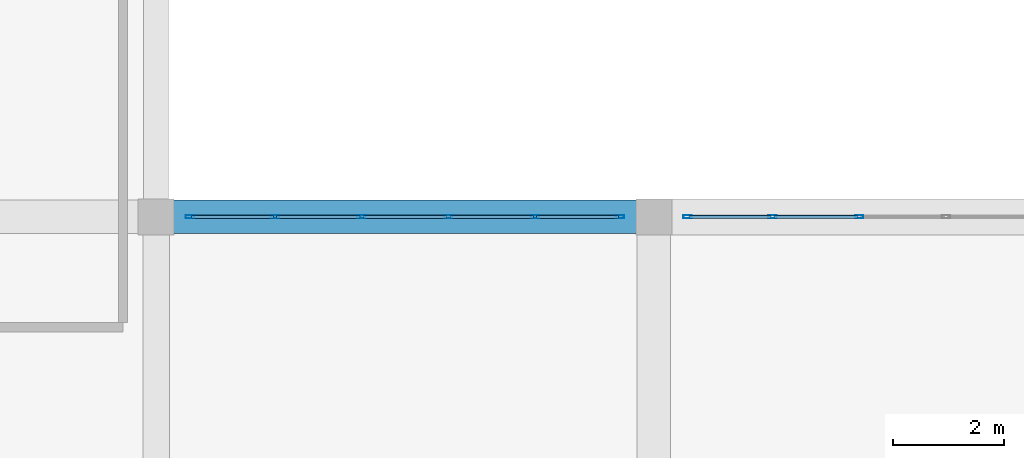
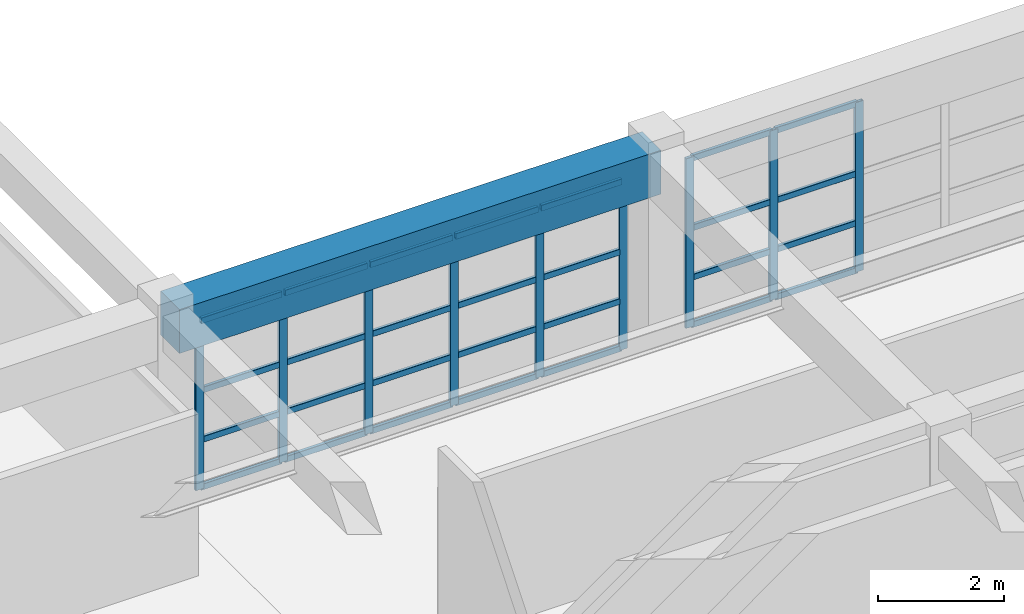
# One storey, part 70 of 130: 37 members, 1 beam, 2 elements without a shape of their own.
"""IFC4 building model written with IfcOpenShell, lengths in metres."""

from ifc_helpers import new_model, si_unit, direction, frame, origin, origin_2d, place, context, subcontext, project, spatial, rectangle, hollow_rectangle, extrude, material, material_profile, profile_set, type_object, element, aggregate, save


model = new_model("IFC4")

# Units and contexts
model_context = context("Model", 3, precision=1e-05, world=origin(), true_north=direction((0.0, 1.0)))
body_context = subcontext(model_context, "Body", "Model", "MODEL_VIEW")
ifc_project = project(units=[si_unit("LENGTHUNIT", "METRE"), si_unit("AREAUNIT", "SQUARE_METRE"), si_unit("VOLUMEUNIT", "CUBIC_METRE"), si_unit("PLANEANGLEUNIT", "RADIAN"), si_unit("MASSUNIT", "GRAM", prefix="KILO")], contexts=[model_context])

# Site, building, storey
site_placement = place(None, origin())
site = spatial("IfcSite", under=ifc_project, at=site_placement, CompositionType="ELEMENT")
building_placement = place(site_placement, origin())
building = spatial("IfcBuilding", under=site, at=building_placement, Name="Miravela Opera House", CompositionType="ELEMENT")
storey_placement = place(building_placement, frame((0.0, 0.0, 9.52001953125)))
storey = spatial("IfcBuildingStorey", under=building, at=storey_placement, Name="L02", CompositionType="ELEMENT", Elevation=9.52001953125)

# Curtain wall, members
ifc_material_1 = material(Name="Anodised architectural bronze aluminium 6063-T6", Category="aluminium")
curtain_wall_type = type_object("IfcCurtainWallType", Name="ARC-CW-05", PredefinedType="NOTDEFINED", material=ifc_material_1)
curtain_wall_1_placement = place(storey_placement, origin())
curtain_wall_1 = element("IfcCurtainWall", 1, at=curtain_wall_1_placement, inside=storey, type_object=curtain_wall_type, Name="Courtyard Arcade Curtain Wall CW-L02-180", PredefinedType="NOTDEFINED")
ifc_material_profile_1 = material_profile(ifc_material_1, hollow_rectangle(XDim=0.06005859375, YDim=0.14990234375, WallThickness=0.00390625, InnerFilletRadius=0.001953125, OuterFilletRadius=0.00390625, at=origin_2d()), Name="CWM-60X150")
ifc_profile_set_1 = profile_set([ifc_material_profile_1])
member_type_1 = type_object("IfcMemberType", Name="ARC-CWM-150", PredefinedType="MULLION", material=ifc_profile_set_1)
member_1_placement = place(storey_placement, frame((117.610107421875, 84.0, 0.0), z_axis=(0.0, 0.0, 1.0), x_axis=(0.0, 1.0, 0.0)))
member_1 = element("IfcMember", 2, at=member_1_placement, type_object=member_type_1, Name="CW-05 mullion 1", PredefinedType="MULLION", context=body_context, shape_type="SweptSolid", body=[
    extrude(hollow_rectangle(XDim=0.06005859375, YDim=0.14990234375, WallThickness=0.00390625, InnerFilletRadius=0.001953125, OuterFilletRadius=0.00390625, at=origin_2d()), origin(), (0.0, 0.0, 1.0), 3.2900390625),
])
member_2_placement = place(storey_placement, frame((119.14794921875, 84.0, 0.0), z_axis=(0.0, 0.0, 1.0), x_axis=(0.0, 1.0, 0.0)))
member_2 = element("IfcMember", 3, at=member_2_placement, type_object=member_type_1, Name="CW-05 mullion 2", PredefinedType="MULLION", context=body_context, shape_type="SweptSolid", body=[
    extrude(hollow_rectangle(XDim=0.06005859375, YDim=0.14990234375, WallThickness=0.00390625, InnerFilletRadius=0.001953125, OuterFilletRadius=0.00390625, at=origin_2d()), origin(), (0.0, 0.0, 1.0), 3.2900390625),
])
member_3_placement = place(storey_placement, frame((120.716064453125, 84.0, 0.0), z_axis=(0.0, 0.0, 1.0), x_axis=(0.0, 1.0, 0.0)))
member_3 = element("IfcMember", 4, at=member_3_placement, type_object=member_type_1, Name="CW-05 mullion 3", PredefinedType="MULLION", context=body_context, shape_type="SweptSolid", body=[
    extrude(hollow_rectangle(XDim=0.06005859375, YDim=0.14990234375, WallThickness=0.00390625, InnerFilletRadius=0.001953125, OuterFilletRadius=0.00390625, at=origin_2d()), origin(), (0.0, 0.0, 1.0), 3.2900390625),
])
member_4_placement = place(storey_placement, frame((122.283935546875, 84.0, 0.0), z_axis=(0.0, 0.0, 1.0), x_axis=(0.0, 1.0, 0.0)))
member_4 = element("IfcMember", 5, at=member_4_placement, type_object=member_type_1, Name="CW-05 mullion 4", PredefinedType="MULLION", context=body_context, shape_type="SweptSolid", body=[
    extrude(hollow_rectangle(XDim=0.06005859375, YDim=0.14990234375, WallThickness=0.00390625, InnerFilletRadius=0.001953125, OuterFilletRadius=0.00390625, at=origin_2d()), origin(), (0.0, 0.0, 1.0), 3.2900390625),
])
member_5_placement = place(storey_placement, frame((123.85205078125, 84.0, 0.0), z_axis=(0.0, 0.0, 1.0), x_axis=(0.0, 1.0, 0.0)))
member_5 = element("IfcMember", 6, at=member_5_placement, type_object=member_type_1, Name="CW-05 mullion 5", PredefinedType="MULLION", context=body_context, shape_type="SweptSolid", body=[
    extrude(hollow_rectangle(XDim=0.06005859375, YDim=0.14990234375, WallThickness=0.00390625, InnerFilletRadius=0.001953125, OuterFilletRadius=0.00390625, at=origin_2d()), origin(), (0.0, 0.0, 1.0), 3.2900390625),
])
member_6_placement = place(storey_placement, frame((125.389892578125, 84.0, 0.0), z_axis=(0.0, 0.0, 1.0), x_axis=(0.0, 1.0, 0.0)))
member_6 = element("IfcMember", 7, at=member_6_placement, type_object=member_type_1, Name="CW-05 mullion 6", PredefinedType="MULLION", context=body_context, shape_type="SweptSolid", body=[
    extrude(hollow_rectangle(XDim=0.06005859375, YDim=0.14990234375, WallThickness=0.00390625, InnerFilletRadius=0.001953125, OuterFilletRadius=0.00390625, at=origin_2d()), origin(), (0.0, 0.0, 1.0), 3.2900390625),
])

curtain_wall_2_placement = place(storey_placement, origin())
curtain_wall_2 = element("IfcCurtainWall", 8, at=curtain_wall_2_placement, inside=storey, type_object=curtain_wall_type, Name="Courtyard Arcade Curtain Wall CW-L02-184", PredefinedType="NOTDEFINED")
member_7_placement = place(storey_placement, frame((126.610107421875, 84.0, 0.0), z_axis=(0.0, 0.0, 1.0), x_axis=(0.0, 1.0, 0.0)))
member_7 = element("IfcMember", 9, at=member_7_placement, type_object=member_type_1, Name="CW-05 mullion 1", PredefinedType="MULLION", context=body_context, shape_type="SweptSolid", body=[
    extrude(hollow_rectangle(XDim=0.06005859375, YDim=0.14990234375, WallThickness=0.00390625, InnerFilletRadius=0.001953125, OuterFilletRadius=0.00390625, at=origin_2d()), origin(), (0.0, 0.0, 1.0), 3.2900390625),
])
member_8_placement = place(storey_placement, frame((128.14794921875, 84.0, 0.0), z_axis=(0.0, 0.0, 1.0), x_axis=(0.0, 1.0, 0.0)))
member_8 = element("IfcMember", 10, at=member_8_placement, type_object=member_type_1, Name="CW-05 mullion 2", PredefinedType="MULLION", context=body_context, shape_type="SweptSolid", body=[
    extrude(hollow_rectangle(XDim=0.06005859375, YDim=0.14990234375, WallThickness=0.00390625, InnerFilletRadius=0.001953125, OuterFilletRadius=0.00390625, at=origin_2d()), origin(), (0.0, 0.0, 1.0), 3.2900390625),
])
member_9_placement = place(storey_placement, frame((129.716064453125, 84.0, 0.0), z_axis=(0.0, 0.0, 1.0), x_axis=(0.0, 1.0, 0.0)))
member_9 = element("IfcMember", 11, at=member_9_placement, type_object=member_type_1, Name="CW-05 mullion 3", PredefinedType="MULLION", context=body_context, shape_type="SweptSolid", body=[
    extrude(hollow_rectangle(XDim=0.06005859375, YDim=0.14990234375, WallThickness=0.00390625, InnerFilletRadius=0.001953125, OuterFilletRadius=0.00390625, at=origin_2d()), origin(), (0.0, 0.0, 1.0), 3.2900390625),
])

# Member
ifc_material_profile_2 = material_profile(ifc_material_1, hollow_rectangle(XDim=0.06005859375, YDim=0.114990234375, WallThickness=0.00390625, InnerFilletRadius=0.001953125, OuterFilletRadius=0.00390625, at=origin_2d()), Name="CWT-60X115")
ifc_profile_set_2 = profile_set([ifc_material_profile_2])
member_type_2 = type_object("IfcMemberType", Name="ARC-CWT-115", PredefinedType="USERDEFINED", material=ifc_profile_set_2)
member_10_placement = place(storey_placement, frame((117.639892578125, 84.0, 0.030029296875), z_axis=(1.0, 0.0, 0.0), x_axis=(0.0, 1.0, 0.0)))
member_10 = element("IfcMember", 12, at=member_10_placement, type_object=member_type_2, Name="CW-05 transom 1.1", ObjectType="TRANSOM", PredefinedType="USERDEFINED", context=body_context, shape_type="SweptSolid", body=[
    extrude(hollow_rectangle(XDim=0.06005859375, YDim=0.114990234375, WallThickness=0.00390625, InnerFilletRadius=0.001953125, OuterFilletRadius=0.00390625, at=origin_2d()), origin(), (0.0, 0.0, 1.0), 1.47802734375),
])

member_11_placement = place(storey_placement, frame((117.639892578125, 84.0, 0.949951171875), z_axis=(1.0, 0.0, 0.0), x_axis=(0.0, 1.0, 0.0)))
member_11 = element("IfcMember", 13, at=member_11_placement, type_object=member_type_2, Name="CW-05 transom 1.2", ObjectType="TRANSOM", PredefinedType="USERDEFINED", context=body_context, shape_type="SweptSolid", body=[
    extrude(hollow_rectangle(XDim=0.06005859375, YDim=0.114990234375, WallThickness=0.00390625, InnerFilletRadius=0.001953125, OuterFilletRadius=0.00390625, at=origin_2d()), origin(), (0.0, 0.0, 1.0), 1.47802734375),
])

member_12_placement = place(storey_placement, frame((117.639892578125, 84.0, 1.908203125), z_axis=(1.0, 0.0, 0.0), x_axis=(0.0, 1.0, 0.0)))
member_12 = element("IfcMember", 14, at=member_12_placement, type_object=member_type_2, Name="CW-05 transom 1.3", ObjectType="TRANSOM", PredefinedType="USERDEFINED", context=body_context, shape_type="SweptSolid", body=[
    extrude(hollow_rectangle(XDim=0.06005859375, YDim=0.114990234375, WallThickness=0.00390625, InnerFilletRadius=0.001953125, OuterFilletRadius=0.00390625, at=origin_2d()), origin(), (0.0, 0.0, 1.0), 1.47802734375),
])

member_13_placement = place(storey_placement, frame((117.639892578125, 84.0, 3.260009765625), z_axis=(1.0, 0.0, 0.0), x_axis=(0.0, 1.0, 0.0)))
member_13 = element("IfcMember", 15, at=member_13_placement, type_object=member_type_2, Name="CW-05 transom 1.4", ObjectType="TRANSOM", PredefinedType="USERDEFINED", context=body_context, shape_type="SweptSolid", body=[
    extrude(hollow_rectangle(XDim=0.06005859375, YDim=0.114990234375, WallThickness=0.00390625, InnerFilletRadius=0.001953125, OuterFilletRadius=0.00390625, at=origin_2d()), origin(), (0.0, 0.0, 1.0), 1.47802734375),
])

member_14_placement = place(storey_placement, frame((119.177978515625, 84.0, 0.030029296875), z_axis=(1.0, 0.0, 0.0), x_axis=(0.0, 1.0, 0.0)))
member_14 = element("IfcMember", 16, at=member_14_placement, type_object=member_type_2, Name="CW-05 transom 2.1", ObjectType="TRANSOM", PredefinedType="USERDEFINED", context=body_context, shape_type="SweptSolid", body=[
    extrude(hollow_rectangle(XDim=0.06005859375, YDim=0.114990234375, WallThickness=0.00390625, InnerFilletRadius=0.001953125, OuterFilletRadius=0.00390625, at=origin_2d()), origin(), (0.0, 0.0, 1.0), 1.508056640625),
])

member_15_placement = place(storey_placement, frame((119.177978515625, 84.0, 0.949951171875), z_axis=(1.0, 0.0, 0.0), x_axis=(0.0, 1.0, 0.0)))
member_15 = element("IfcMember", 17, at=member_15_placement, type_object=member_type_2, Name="CW-05 transom 2.2", ObjectType="TRANSOM", PredefinedType="USERDEFINED", context=body_context, shape_type="SweptSolid", body=[
    extrude(hollow_rectangle(XDim=0.06005859375, YDim=0.114990234375, WallThickness=0.00390625, InnerFilletRadius=0.001953125, OuterFilletRadius=0.00390625, at=origin_2d()), origin(), (0.0, 0.0, 1.0), 1.508056640625),
])

member_16_placement = place(storey_placement, frame((119.177978515625, 84.0, 1.908203125), z_axis=(1.0, 0.0, 0.0), x_axis=(0.0, 1.0, 0.0)))
member_16 = element("IfcMember", 18, at=member_16_placement, type_object=member_type_2, Name="CW-05 transom 2.3", ObjectType="TRANSOM", PredefinedType="USERDEFINED", context=body_context, shape_type="SweptSolid", body=[
    extrude(hollow_rectangle(XDim=0.06005859375, YDim=0.114990234375, WallThickness=0.00390625, InnerFilletRadius=0.001953125, OuterFilletRadius=0.00390625, at=origin_2d()), origin(), (0.0, 0.0, 1.0), 1.508056640625),
])

member_17_placement = place(storey_placement, frame((119.177978515625, 84.0, 3.260009765625), z_axis=(1.0, 0.0, 0.0), x_axis=(0.0, 1.0, 0.0)))
member_17 = element("IfcMember", 19, at=member_17_placement, type_object=member_type_2, Name="CW-05 transom 2.4", ObjectType="TRANSOM", PredefinedType="USERDEFINED", context=body_context, shape_type="SweptSolid", body=[
    extrude(hollow_rectangle(XDim=0.06005859375, YDim=0.114990234375, WallThickness=0.00390625, InnerFilletRadius=0.001953125, OuterFilletRadius=0.00390625, at=origin_2d()), origin(), (0.0, 0.0, 1.0), 1.508056640625),
])

member_18_placement = place(storey_placement, frame((120.74609375, 84.0, 0.030029296875), z_axis=(1.0, 0.0, 0.0), x_axis=(0.0, 1.0, 0.0)))
member_18 = element("IfcMember", 20, at=member_18_placement, type_object=member_type_2, Name="CW-05 transom 3.1", ObjectType="TRANSOM", PredefinedType="USERDEFINED", context=body_context, shape_type="SweptSolid", body=[
    extrude(hollow_rectangle(XDim=0.06005859375, YDim=0.114990234375, WallThickness=0.00390625, InnerFilletRadius=0.001953125, OuterFilletRadius=0.00390625, at=origin_2d()), origin(), (0.0, 0.0, 1.0), 1.5078125),
])

member_19_placement = place(storey_placement, frame((120.74609375, 84.0, 0.949951171875), z_axis=(1.0, 0.0, 0.0), x_axis=(0.0, 1.0, 0.0)))
member_19 = element("IfcMember", 21, at=member_19_placement, type_object=member_type_2, Name="CW-05 transom 3.2", ObjectType="TRANSOM", PredefinedType="USERDEFINED", context=body_context, shape_type="SweptSolid", body=[
    extrude(hollow_rectangle(XDim=0.06005859375, YDim=0.114990234375, WallThickness=0.00390625, InnerFilletRadius=0.001953125, OuterFilletRadius=0.00390625, at=origin_2d()), origin(), (0.0, 0.0, 1.0), 1.5078125),
])

member_20_placement = place(storey_placement, frame((120.74609375, 84.0, 1.908203125), z_axis=(1.0, 0.0, 0.0), x_axis=(0.0, 1.0, 0.0)))
member_20 = element("IfcMember", 22, at=member_20_placement, type_object=member_type_2, Name="CW-05 transom 3.3", ObjectType="TRANSOM", PredefinedType="USERDEFINED", context=body_context, shape_type="SweptSolid", body=[
    extrude(hollow_rectangle(XDim=0.06005859375, YDim=0.114990234375, WallThickness=0.00390625, InnerFilletRadius=0.001953125, OuterFilletRadius=0.00390625, at=origin_2d()), origin(), (0.0, 0.0, 1.0), 1.5078125),
])

member_21_placement = place(storey_placement, frame((120.74609375, 84.0, 3.260009765625), z_axis=(1.0, 0.0, 0.0), x_axis=(0.0, 1.0, 0.0)))
member_21 = element("IfcMember", 23, at=member_21_placement, type_object=member_type_2, Name="CW-05 transom 3.4", ObjectType="TRANSOM", PredefinedType="USERDEFINED", context=body_context, shape_type="SweptSolid", body=[
    extrude(hollow_rectangle(XDim=0.06005859375, YDim=0.114990234375, WallThickness=0.00390625, InnerFilletRadius=0.001953125, OuterFilletRadius=0.00390625, at=origin_2d()), origin(), (0.0, 0.0, 1.0), 1.5078125),
])

member_22_placement = place(storey_placement, frame((122.31396484375, 84.0, 0.030029296875), z_axis=(1.0, 0.0, 0.0), x_axis=(0.0, 1.0, 0.0)))
member_22 = element("IfcMember", 24, at=member_22_placement, type_object=member_type_2, Name="CW-05 transom 4.1", ObjectType="TRANSOM", PredefinedType="USERDEFINED", context=body_context, shape_type="SweptSolid", body=[
    extrude(hollow_rectangle(XDim=0.06005859375, YDim=0.114990234375, WallThickness=0.00390625, InnerFilletRadius=0.001953125, OuterFilletRadius=0.00390625, at=origin_2d()), origin(), (0.0, 0.0, 1.0), 1.508056640625),
])

member_23_placement = place(storey_placement, frame((122.31396484375, 84.0, 0.949951171875), z_axis=(1.0, 0.0, 0.0), x_axis=(0.0, 1.0, 0.0)))
member_23 = element("IfcMember", 25, at=member_23_placement, type_object=member_type_2, Name="CW-05 transom 4.2", ObjectType="TRANSOM", PredefinedType="USERDEFINED", context=body_context, shape_type="SweptSolid", body=[
    extrude(hollow_rectangle(XDim=0.06005859375, YDim=0.114990234375, WallThickness=0.00390625, InnerFilletRadius=0.001953125, OuterFilletRadius=0.00390625, at=origin_2d()), origin(), (0.0, 0.0, 1.0), 1.508056640625),
])

member_24_placement = place(storey_placement, frame((122.31396484375, 84.0, 1.908203125), z_axis=(1.0, 0.0, 0.0), x_axis=(0.0, 1.0, 0.0)))
member_24 = element("IfcMember", 26, at=member_24_placement, type_object=member_type_2, Name="CW-05 transom 4.3", ObjectType="TRANSOM", PredefinedType="USERDEFINED", context=body_context, shape_type="SweptSolid", body=[
    extrude(hollow_rectangle(XDim=0.06005859375, YDim=0.114990234375, WallThickness=0.00390625, InnerFilletRadius=0.001953125, OuterFilletRadius=0.00390625, at=origin_2d()), origin(), (0.0, 0.0, 1.0), 1.508056640625),
])

member_25_placement = place(storey_placement, frame((122.31396484375, 84.0, 3.260009765625), z_axis=(1.0, 0.0, 0.0), x_axis=(0.0, 1.0, 0.0)))
member_25 = element("IfcMember", 27, at=member_25_placement, type_object=member_type_2, Name="CW-05 transom 4.4", ObjectType="TRANSOM", PredefinedType="USERDEFINED", context=body_context, shape_type="SweptSolid", body=[
    extrude(hollow_rectangle(XDim=0.06005859375, YDim=0.114990234375, WallThickness=0.00390625, InnerFilletRadius=0.001953125, OuterFilletRadius=0.00390625, at=origin_2d()), origin(), (0.0, 0.0, 1.0), 1.508056640625),
])

member_26_placement = place(storey_placement, frame((123.882080078125, 84.0, 0.030029296875), z_axis=(1.0, 0.0, 0.0), x_axis=(0.0, 1.0, 0.0)))
member_26 = element("IfcMember", 28, at=member_26_placement, type_object=member_type_2, Name="CW-05 transom 5.1", ObjectType="TRANSOM", PredefinedType="USERDEFINED", context=body_context, shape_type="SweptSolid", body=[
    extrude(hollow_rectangle(XDim=0.06005859375, YDim=0.114990234375, WallThickness=0.00390625, InnerFilletRadius=0.001953125, OuterFilletRadius=0.00390625, at=origin_2d()), origin(), (0.0, 0.0, 1.0), 1.47802734375),
])

member_27_placement = place(storey_placement, frame((123.882080078125, 84.0, 0.949951171875), z_axis=(1.0, 0.0, 0.0), x_axis=(0.0, 1.0, 0.0)))
member_27 = element("IfcMember", 29, at=member_27_placement, type_object=member_type_2, Name="CW-05 transom 5.2", ObjectType="TRANSOM", PredefinedType="USERDEFINED", context=body_context, shape_type="SweptSolid", body=[
    extrude(hollow_rectangle(XDim=0.06005859375, YDim=0.114990234375, WallThickness=0.00390625, InnerFilletRadius=0.001953125, OuterFilletRadius=0.00390625, at=origin_2d()), origin(), (0.0, 0.0, 1.0), 1.47802734375),
])

member_28_placement = place(storey_placement, frame((123.882080078125, 84.0, 1.908203125), z_axis=(1.0, 0.0, 0.0), x_axis=(0.0, 1.0, 0.0)))
member_28 = element("IfcMember", 30, at=member_28_placement, type_object=member_type_2, Name="CW-05 transom 5.3", ObjectType="TRANSOM", PredefinedType="USERDEFINED", context=body_context, shape_type="SweptSolid", body=[
    extrude(hollow_rectangle(XDim=0.06005859375, YDim=0.114990234375, WallThickness=0.00390625, InnerFilletRadius=0.001953125, OuterFilletRadius=0.00390625, at=origin_2d()), origin(), (0.0, 0.0, 1.0), 1.47802734375),
])

member_29_placement = place(storey_placement, frame((123.882080078125, 84.0, 3.260009765625), z_axis=(1.0, 0.0, 0.0), x_axis=(0.0, 1.0, 0.0)))
member_29 = element("IfcMember", 31, at=member_29_placement, type_object=member_type_2, Name="CW-05 transom 5.4", ObjectType="TRANSOM", PredefinedType="USERDEFINED", context=body_context, shape_type="SweptSolid", body=[
    extrude(hollow_rectangle(XDim=0.06005859375, YDim=0.114990234375, WallThickness=0.00390625, InnerFilletRadius=0.001953125, OuterFilletRadius=0.00390625, at=origin_2d()), origin(), (0.0, 0.0, 1.0), 1.47802734375),
])

aggregate(curtain_wall_1, [member_1, member_2, member_3, member_4, member_5, member_6, member_10, member_11, member_12, member_13, member_14, member_15, member_16, member_17, member_18, member_19, member_20, member_21, member_22, member_23, member_24, member_25, member_26, member_27, member_28, member_29])

member_30_placement = place(storey_placement, frame((126.639892578125, 84.0, 0.030029296875), z_axis=(1.0, 0.0, 0.0), x_axis=(0.0, 1.0, 0.0)))
member_30 = element("IfcMember", 32, at=member_30_placement, type_object=member_type_2, Name="CW-05 transom 1.1", ObjectType="TRANSOM", PredefinedType="USERDEFINED", context=body_context, shape_type="SweptSolid", body=[
    extrude(hollow_rectangle(XDim=0.06005859375, YDim=0.114990234375, WallThickness=0.00390625, InnerFilletRadius=0.001953125, OuterFilletRadius=0.00390625, at=origin_2d()), origin(), (0.0, 0.0, 1.0), 1.47802734375),
])

member_31_placement = place(storey_placement, frame((126.639892578125, 84.0, 0.949951171875), z_axis=(1.0, 0.0, 0.0), x_axis=(0.0, 1.0, 0.0)))
member_31 = element("IfcMember", 33, at=member_31_placement, type_object=member_type_2, Name="CW-05 transom 1.2", ObjectType="TRANSOM", PredefinedType="USERDEFINED", context=body_context, shape_type="SweptSolid", body=[
    extrude(hollow_rectangle(XDim=0.06005859375, YDim=0.114990234375, WallThickness=0.00390625, InnerFilletRadius=0.001953125, OuterFilletRadius=0.00390625, at=origin_2d()), origin(), (0.0, 0.0, 1.0), 1.47802734375),
])

member_32_placement = place(storey_placement, frame((126.639892578125, 84.0, 1.908203125), z_axis=(1.0, 0.0, 0.0), x_axis=(0.0, 1.0, 0.0)))
member_32 = element("IfcMember", 34, at=member_32_placement, type_object=member_type_2, Name="CW-05 transom 1.3", ObjectType="TRANSOM", PredefinedType="USERDEFINED", context=body_context, shape_type="SweptSolid", body=[
    extrude(hollow_rectangle(XDim=0.06005859375, YDim=0.114990234375, WallThickness=0.00390625, InnerFilletRadius=0.001953125, OuterFilletRadius=0.00390625, at=origin_2d()), origin(), (0.0, 0.0, 1.0), 1.47802734375),
])

member_33_placement = place(storey_placement, frame((126.639892578125, 84.0, 3.260009765625), z_axis=(1.0, 0.0, 0.0), x_axis=(0.0, 1.0, 0.0)))
member_33 = element("IfcMember", 35, at=member_33_placement, type_object=member_type_2, Name="CW-05 transom 1.4", ObjectType="TRANSOM", PredefinedType="USERDEFINED", context=body_context, shape_type="SweptSolid", body=[
    extrude(hollow_rectangle(XDim=0.06005859375, YDim=0.114990234375, WallThickness=0.00390625, InnerFilletRadius=0.001953125, OuterFilletRadius=0.00390625, at=origin_2d()), origin(), (0.0, 0.0, 1.0), 1.47802734375),
])

member_34_placement = place(storey_placement, frame((128.177978515625, 84.0, 0.030029296875), z_axis=(1.0, 0.0, 0.0), x_axis=(0.0, 1.0, 0.0)))
member_34 = element("IfcMember", 36, at=member_34_placement, type_object=member_type_2, Name="CW-05 transom 2.1", ObjectType="TRANSOM", PredefinedType="USERDEFINED", context=body_context, shape_type="SweptSolid", body=[
    extrude(hollow_rectangle(XDim=0.06005859375, YDim=0.114990234375, WallThickness=0.00390625, InnerFilletRadius=0.001953125, OuterFilletRadius=0.00390625, at=origin_2d()), origin(), (0.0, 0.0, 1.0), 1.508056640625),
])

member_35_placement = place(storey_placement, frame((128.177978515625, 84.0, 0.949951171875), z_axis=(1.0, 0.0, 0.0), x_axis=(0.0, 1.0, 0.0)))
member_35 = element("IfcMember", 37, at=member_35_placement, type_object=member_type_2, Name="CW-05 transom 2.2", ObjectType="TRANSOM", PredefinedType="USERDEFINED", context=body_context, shape_type="SweptSolid", body=[
    extrude(hollow_rectangle(XDim=0.06005859375, YDim=0.114990234375, WallThickness=0.00390625, InnerFilletRadius=0.001953125, OuterFilletRadius=0.00390625, at=origin_2d()), origin(), (0.0, 0.0, 1.0), 1.508056640625),
])

member_36_placement = place(storey_placement, frame((128.177978515625, 84.0, 1.908203125), z_axis=(1.0, 0.0, 0.0), x_axis=(0.0, 1.0, 0.0)))
member_36 = element("IfcMember", 38, at=member_36_placement, type_object=member_type_2, Name="CW-05 transom 2.3", ObjectType="TRANSOM", PredefinedType="USERDEFINED", context=body_context, shape_type="SweptSolid", body=[
    extrude(hollow_rectangle(XDim=0.06005859375, YDim=0.114990234375, WallThickness=0.00390625, InnerFilletRadius=0.001953125, OuterFilletRadius=0.00390625, at=origin_2d()), origin(), (0.0, 0.0, 1.0), 1.508056640625),
])

member_37_placement = place(storey_placement, frame((128.177978515625, 84.0, 3.260009765625), z_axis=(1.0, 0.0, 0.0), x_axis=(0.0, 1.0, 0.0)))
member_37 = element("IfcMember", 39, at=member_37_placement, type_object=member_type_2, Name="CW-05 transom 2.4", ObjectType="TRANSOM", PredefinedType="USERDEFINED", context=body_context, shape_type="SweptSolid", body=[
    extrude(hollow_rectangle(XDim=0.06005859375, YDim=0.114990234375, WallThickness=0.00390625, InnerFilletRadius=0.001953125, OuterFilletRadius=0.00390625, at=origin_2d()), origin(), (0.0, 0.0, 1.0), 1.508056640625),
])

aggregate(curtain_wall_2, [member_7, member_8, member_9, member_30, member_31, member_32, member_33, member_34, member_35, member_36, member_37])

# Beam
ifc_material_2 = material(Name="Concrete C40/50", Category="concrete")
ifc_material_profile_3 = material_profile(ifc_material_2, rectangle(XDim=0.60009765625, YDim=0.85009765625, at=origin_2d()), Name="RC-BM-600X850")
ifc_profile_set_3 = profile_set([ifc_material_profile_3])
beam_type = type_object("IfcBeamType", Name="STR-BM-RC600X850", PredefinedType="BEAM", material=ifc_profile_set_3)
beam_placement = place(storey_placement, frame((117.080078125, 84.0, 3.4150390625), z_axis=(1.0, 0.0, 0.0), x_axis=(0.0, 1.0, 0.0)))
element("IfcBeam", 40, at=beam_placement, inside=storey, type_object=beam_type, Name="Floor Girder L02 14-15/J", PredefinedType="BEAM", context=body_context, shape_type="SweptSolid", body=[
    extrude(rectangle(XDim=0.60009765625, YDim=0.85009765625, at=origin_2d()), origin(), (0.0, 0.0, 1.0), 8.83984375),
])

save(model, "model.ifc")
